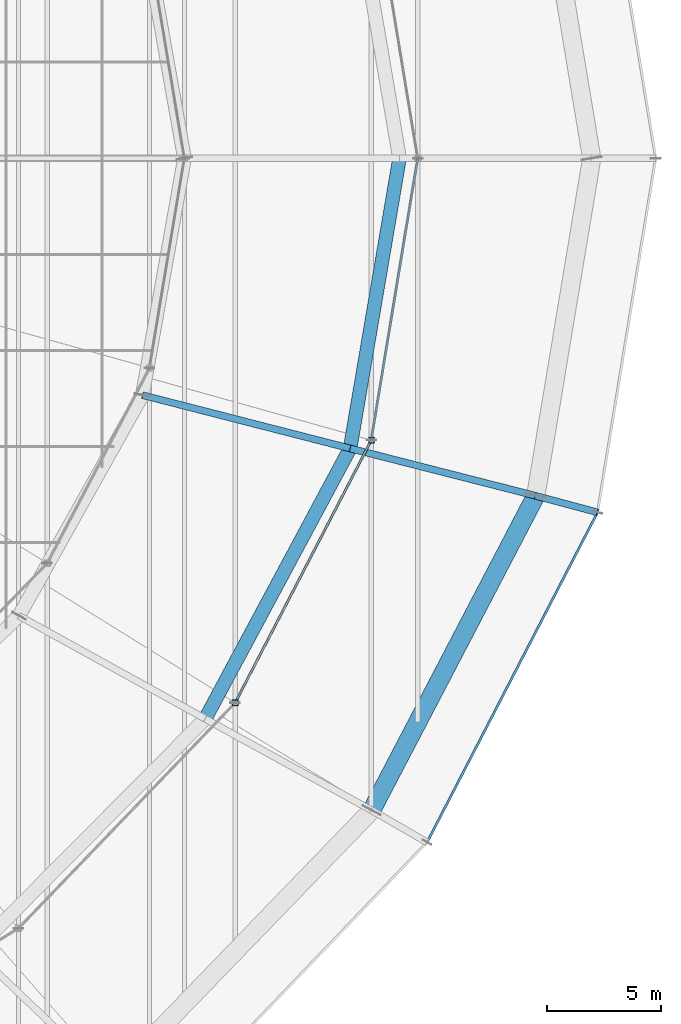
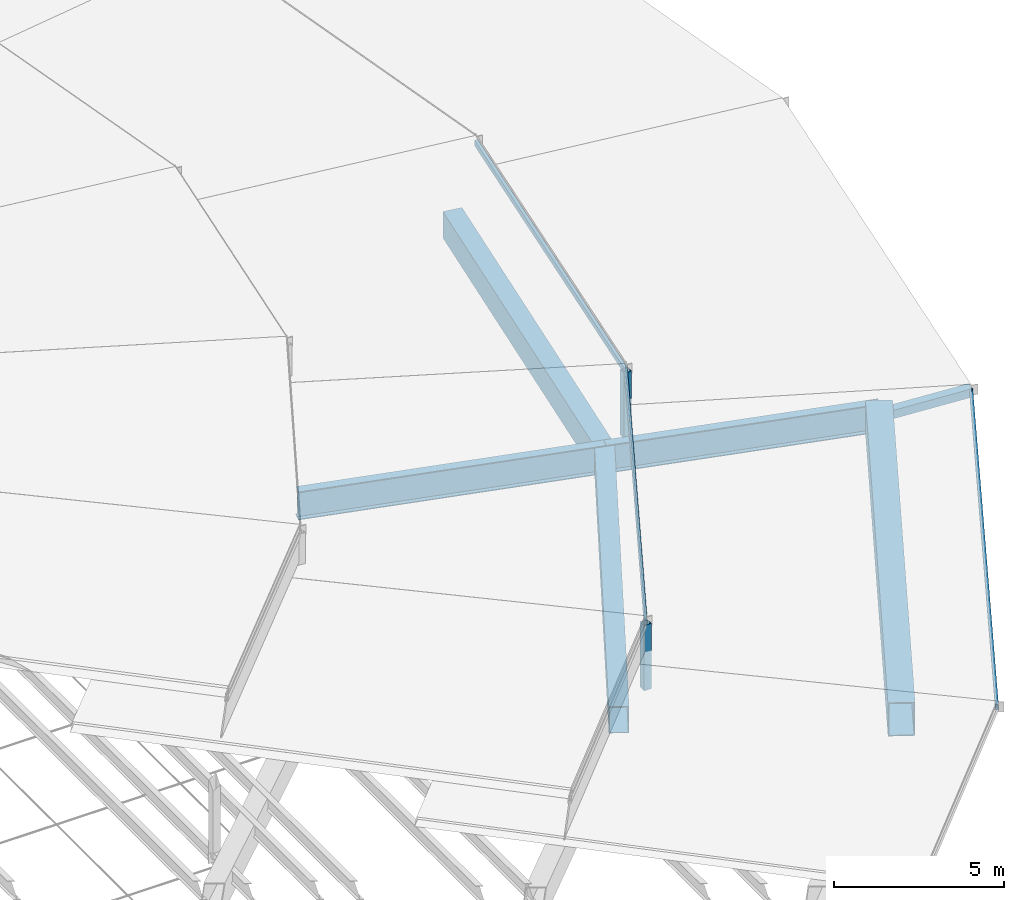
# One storey, part 128 of 184: 6 members, 5 beams.
"""IFC4 building model written with IfcOpenShell, lengths in metres."""

from ifc_helpers import new_model, si_unit, direction, frame, origin, origin_2d, place, context, subcontext, project, spatial, hollow_rectangle, i_section, extrude, material, material_profile, profile_set, type_object, element, save


model = new_model("IFC4")

# Units and contexts
model_context = context("Model", 3, precision=1e-05, world=origin(), true_north=direction((0.0, 1.0)))
body_context = subcontext(model_context, "Body", "Model", "MODEL_VIEW")
ifc_project = project(units=[si_unit("LENGTHUNIT", "METRE"), si_unit("AREAUNIT", "SQUARE_METRE"), si_unit("VOLUMEUNIT", "CUBIC_METRE"), si_unit("PLANEANGLEUNIT", "RADIAN"), si_unit("MASSUNIT", "GRAM", prefix="KILO")], contexts=[model_context])

# Site, building, storey
site_placement = place(None, origin())
site = spatial("IfcSite", under=ifc_project, at=site_placement, CompositionType="ELEMENT")
building_placement = place(site_placement, origin())
building = spatial("IfcBuilding", under=site, at=building_placement, Name="Kalgoora Escarpment Arena", CompositionType="ELEMENT")
storey_placement = place(building_placement, frame((0.0, 0.0, 27.60009765625)))
storey = spatial("IfcBuildingStorey", under=building, at=storey_placement, Name="Roof Level", CompositionType="ELEMENT", Elevation=27.60009765625)

# Beams
ifc_material_1 = material(Name="Structural steel Grade 350 (350 MPa)", Category="steel")
ifc_material_profile_1 = material_profile(ifc_material_1, hollow_rectangle(XDim=0.800048828125, YDim=1.199951171875, WallThickness=0.031982421875, at=origin_2d()))
ifc_profile_set_1 = profile_set([ifc_material_profile_1], Name="Structural steel Grade 350 (350 MPa)")
beam_type_1 = type_object("IfcBeamType", Name="BM-RING-BOX1200", PredefinedType="USERDEFINED", material=ifc_profile_set_1)
beam_1_placement = place(storey_placement, frame((154.58056640625, 35.5, -1.4501953125), z_axis=(0.462583225327, 0.886575862319, 0.0), x_axis=(-0.886575862319, 0.462583225327, 0.0)))
element("IfcBeam", 1, at=beam_1_placement, inside=storey, type_object=beam_type_1, Name="Outer perimeter compression RING BEAM chord 23", ObjectType="GIRDER", PredefinedType="USERDEFINED", context=body_context, shape_type="SweptSolid", body=[
    extrude(hollow_rectangle(XDim=0.800048828125, YDim=1.199951171875, WallThickness=0.031982421875, at=origin_2d()), origin(), (0.0, 0.0, 1.0), 15.506103515625),
])
ifc_material_2 = material(Name="Structural steel Grade 350 (350 MPa)", Category="steel")
ifc_material_profile_2 = material_profile(ifc_material_2, hollow_rectangle(XDim=0.60009765625, YDim=0.949951171875, WallThickness=0.02490234375, at=origin_2d()))
ifc_profile_set_2 = profile_set([ifc_material_profile_2], Name="Structural steel Grade 350 (350 MPa)")
beam_type_2 = type_object("IfcBeamType", Name="BM-RING-BOX950", PredefinedType="USERDEFINED", material=ifc_profile_set_2)
beam_2_placement = place(storey_placement, frame((147.305908203125, 39.5, -1.35009765625), z_axis=(0.472380065023, 0.881394959237, 0.0), x_axis=(-0.881394959237, 0.472380065023, 0.0)))
element("IfcBeam", 2, at=beam_2_placement, inside=storey, type_object=beam_type_2, Name="Concourse roof RING BEAM chord 23", ObjectType="GIRDER", PredefinedType="USERDEFINED", context=body_context, shape_type="SweptSolid", body=[
    extrude(hollow_rectangle(XDim=0.60009765625, YDim=0.949951171875, WallThickness=0.02490234375, at=origin_2d()), origin(), (0.0, 0.0, 1.0), 13.408203125),
])
beam_3_placement = place(storey_placement, frame((153.6396484375, 51.31787109375, -1.35009765625), z_axis=(0.167930802249, 0.985798785583, 0.0), x_axis=(-0.985798785583, 0.167930802249, 0.0)))
element("IfcBeam", 3, at=beam_3_placement, inside=storey, type_object=beam_type_2, Name="Concourse roof RING BEAM chord 24", ObjectType="GIRDER", PredefinedType="USERDEFINED", context=body_context, shape_type="SweptSolid", body=[
    extrude(hollow_rectangle(XDim=0.60009765625, YDim=0.949951171875, WallThickness=0.02490234375, at=origin_2d()), origin(), (0.0, 0.0, 1.0), 12.86474609375),
])
ifc_material_3 = material(Name="Structural steel Grade 350 (350 MPa)", Category="steel")
ifc_material_profile_3 = material_profile(ifc_material_3, i_section(OverallWidth=0.300048828125, OverallDepth=1.010009765625, WebThickness=0.01611328125, FlangeThickness=0.030029296875, at=origin_2d()))
ifc_profile_set_3 = profile_set([ifc_material_profile_3], Name="Structural steel Grade 350 (350 MPa)")
beam_type_3 = type_object("IfcBeamType", Name="BM-TRUSS-CHORD", PredefinedType="USERDEFINED", material=ifc_profile_set_3)
beam_4_placement = place(storey_placement, frame((161.75341796875, 49.247314453125, -1.400146484375), z_axis=(-0.968878370678, 0.247248524455, 0.011952823373), x_axis=(-0.247266188544, -0.968947589915, 0.0)))
element("IfcBeam", 4, at=beam_4_placement, inside=storey, type_object=beam_type_3, Name="Outer radial petal support girder R24", ObjectType="GIRDER", PredefinedType="USERDEFINED", context=body_context, shape_type="SweptSolid", body=[
    extrude(i_section(OverallWidth=0.300048828125, OverallDepth=1.010009765625, WebThickness=0.01611328125, FlangeThickness=0.030029296875, at=origin_2d()), origin(), (0.0, 0.0, 1.0), 8.37451171875),
])
beam_5_placement = place(storey_placement, frame((153.6396484375, 51.31787109375, -1.300048828125), z_axis=(-0.968576929059, 0.248485949991, 0.010652002258), x_axis=(-0.248500048438, -0.9686318836, 0.0)))
element("IfcBeam", 5, at=beam_5_placement, inside=storey, type_object=beam_type_3, Name="Inner radial petal support girder R24", ObjectType="GIRDER", PredefinedType="USERDEFINED", context=body_context, shape_type="SweptSolid", body=[
    extrude(i_section(OverallWidth=0.300048828125, OverallDepth=1.010009765625, WebThickness=0.01611328125, FlangeThickness=0.030029296875, at=origin_2d()), origin(), (0.0, 0.0, 1.0), 9.374267578125),
])

# Members
ifc_material_4 = material(Name="Structural steel C450 (450 MPa)", Category="steel")
ifc_material_profile_4 = material_profile(ifc_material_4, hollow_rectangle(XDim=0.25, YDim=0.25, WallThickness=0.012451171875, at=origin_2d()))
ifc_profile_set_4 = profile_set([ifc_material_profile_4], Name="Structural steel C450 (450 MPa)")
member_type_1 = type_object("IfcMemberType", Name="MEM-PETAL-POST", PredefinedType="POST", material=ifc_profile_set_4)
for number, where, z_axis, x_axis, name in (
    (6, (148.614990234375, 40.199951171875, -1.080078125), (0.0, 0.0, 1.0), (1.0, 0.0, 0.0), "Petal RP2 vertical support post S23"),
    (7, (154.569091796875, 51.68017578125, -1.080078125), (0.0, 0.0, 1.0), (1.0, 0.0, 0.0), "Petal RP2 vertical support post S24"),
):
    element("IfcMember", number, at=place(storey_placement, frame(where, z_axis=z_axis, x_axis=x_axis)), inside=storey, type_object=member_type_1, Name=name, PredefinedType="POST", context=body_context, shape_type="SweptSolid", body=[
        extrude(hollow_rectangle(XDim=0.25, YDim=0.25, WallThickness=0.012451171875, at=origin_2d()), origin(), (0.0, 0.0, 1.0), 2.344970703125),
    ])
ifc_material_5 = material(Name="Structural steel C350 (350 MPa)", Category="steel")
ifc_material_profile_5 = material_profile(ifc_material_5, hollow_rectangle(XDim=0.10009765625, YDim=0.199951171875, WallThickness=0.009033203125, at=origin_2d()))
ifc_profile_set_5 = profile_set([ifc_material_profile_5], Name="Structural steel C350 (350 MPa)")
member_type_2 = type_object("IfcMemberType", Name="MEM-PURLIN-RHS", PredefinedType="PURLIN", material=ifc_profile_set_5)
member_1_placement = place(storey_placement, frame((157.005615234375, 34.10009765625, -1.02001953125), z_axis=(0.459054672397, 0.888408018734, 0.0), x_axis=(-0.888408018734, 0.459054672397, 0.0)))
element("IfcMember", 8, at=member_1_placement, inside=storey, type_object=member_type_2, Name="Petal RP1 eave support ring purlin S23", PredefinedType="PURLIN", context=body_context, shape_type="SweptSolid", body=[
    extrude(hollow_rectangle(XDim=0.10009765625, YDim=0.199951171875, WallThickness=0.009033203125, at=origin_2d()), origin(), (0.0, 0.0, 1.0), 16.234130859375),
])
member_2_placement = place(storey_placement, frame((148.614990234375, 40.199951171875, 1.244873046875), z_axis=(0.460402022501, 0.887710525834, 0.0), x_axis=(-0.887710525834, 0.460402022501, 0.0)))
element("IfcMember", 9, at=member_2_placement, inside=storey, type_object=member_type_2, Name="Petal RP2 eave support ring purlin S23", PredefinedType="PURLIN", context=body_context, shape_type="SweptSolid", body=[
    extrude(hollow_rectangle(XDim=0.10009765625, YDim=0.199951171875, WallThickness=0.009033203125, at=origin_2d()), origin(), (0.0, 0.0, 1.0), 12.932373046875),
])
member_3_placement = place(storey_placement, frame((154.569091796875, 51.68017578125, 1.244873046875), z_axis=(0.162661160172, 0.986681988774, 0.0), x_axis=(-0.986681988774, 0.162661160172, 0.0)))
element("IfcMember", 10, at=member_3_placement, inside=storey, type_object=member_type_2, Name="Petal RP2 eave support ring purlin S24", PredefinedType="PURLIN", context=body_context, shape_type="SweptSolid", body=[
    extrude(hollow_rectangle(XDim=0.10009765625, YDim=0.199951171875, WallThickness=0.009033203125, at=origin_2d()), origin(), (0.0, 0.0, 1.0), 12.486083984375),
])
ifc_material_6 = material(Name="Structural steel C450 (450 MPa)", Category="steel")
ifc_material_profile_6 = material_profile(ifc_material_6, hollow_rectangle(XDim=0.300048828125, YDim=0.300048828125, WallThickness=0.012451171875, at=origin_2d()))
ifc_profile_set_6 = profile_set([ifc_material_profile_6], Name="Structural steel C450 (450 MPa)")
member_type_3 = type_object("IfcMemberType", Name="MEM-TRUSS-POST", PredefinedType="POST", material=ifc_profile_set_6)
member_4_placement = place(storey_placement, frame((161.75341796875, 49.247314453125, -1.400146484375), z_axis=(0.956217974517, -0.256188386746, 0.141473303867), x_axis=(0.258791291131, 0.965933262516, 0.0)))
element("IfcMember", 11, at=member_4_placement, inside=storey, type_object=member_type_3, Name="Petal RP1 eave strut S24", PredefinedType="POST", context=body_context, shape_type="SweptSolid", body=[
    extrude(hollow_rectangle(XDim=0.300048828125, YDim=0.300048828125, WallThickness=0.012451171875, at=origin_2d()), origin(), (0.0, 0.0, 1.0), 2.828369140625),
])

save(model, "model.ifc")
